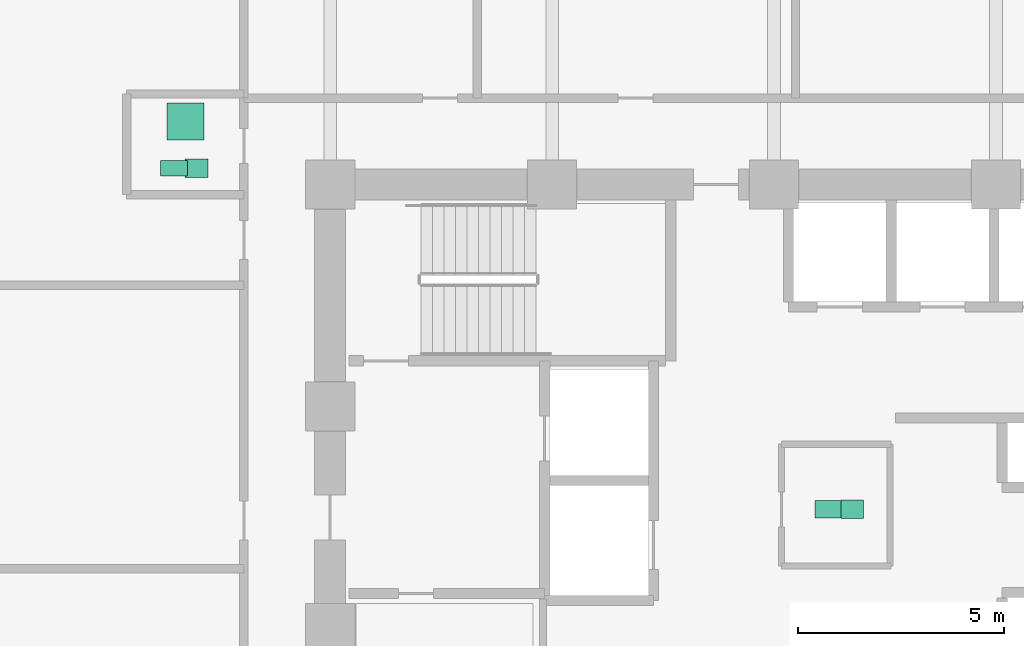
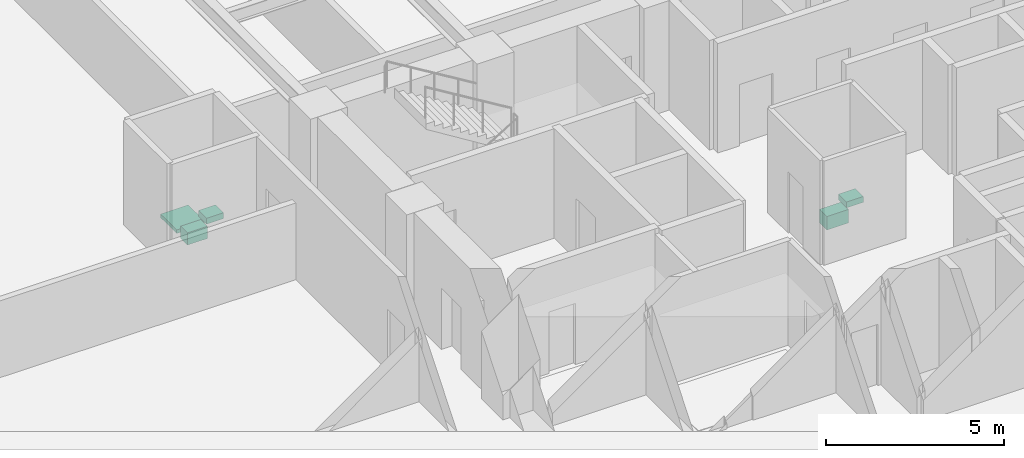
# One storey, part 27 of 27: 5 sanitary terminals.
"""IFC4 building model written with IfcOpenShell, lengths in metres."""

from ifc_helpers import new_model, si_unit, direction, frame, origin, origin_2d, place, context, subcontext, project, spatial, rectangle, extrude, material, type_object, element, save


model = new_model("IFC4")

# Units and contexts
model_context = context("Model", 3, precision=1e-05, world=origin(), true_north=direction((0.0, 1.0)))
body_context = subcontext(model_context, "Body", "Model", "MODEL_VIEW")
ifc_project = project(units=[si_unit("LENGTHUNIT", "METRE"), si_unit("AREAUNIT", "SQUARE_METRE"), si_unit("VOLUMEUNIT", "CUBIC_METRE"), si_unit("PLANEANGLEUNIT", "RADIAN"), si_unit("MASSUNIT", "GRAM", prefix="KILO")], contexts=[model_context])

# Site, building, storey
site_placement = place(None, origin())
site = spatial("IfcSite", under=ifc_project, at=site_placement, CompositionType="ELEMENT")
building_placement = place(site_placement, origin())
building = spatial("IfcBuilding", under=site, at=building_placement, Name="Surkhivell Harbour Commons", CompositionType="ELEMENT")
storey_placement = place(building_placement, frame((0.0, 0.0, 22.5)))
storey = spatial("IfcBuildingStorey", under=building, at=storey_placement, Name="L05", CompositionType="ELEMENT", Elevation=22.5)

# Sanitary terminals
ifc_material_1 = material(Name="Vitreous china washbasin", Category="other")
sanitary_terminal_type_1 = type_object("IfcSanitaryTerminalType", Name="SAN-BSN", PredefinedType="WASHHANDBASIN", material=ifc_material_1)
for number, where, z_axis, x_axis, name in (
    (1, (1.89990234375, 2.89990234375, 0.72021484375), (0.0, 0.0, 1.0), (1.0, 0.0, 0.0), "L05 Core Accessible WC Washbasin"),
    (2, (-14.050048828125, 11.18994140625, 0.72021484375), (0.0, 0.0, 1.0), (1.0, 0.0, 0.0), "L05 West Communal Bathroom WC Washbasin"),
):
    element("IfcSanitaryTerminal", number, at=place(storey_placement, frame(where, z_axis=z_axis, x_axis=x_axis)), inside=storey, type_object=sanitary_terminal_type_1, Name=name, PredefinedType="WASHHANDBASIN", context=body_context, shape_type="SweptSolid", body=[
        extrude(rectangle(XDim=0.550048828125, YDim=0.449951171875, at=origin_2d()), origin(), (0.0, 0.0, 1.0), 0.199951171875),
    ])
ifc_material_2 = material(Name="Glazed porcelain shower tray", Category="other")
sanitary_terminal_type_2 = type_object("IfcSanitaryTerminalType", Name="SAN-SHW", PredefinedType="SHOWER", material=ifc_material_2)
sanitary_terminal_1_placement = place(storey_placement, frame((-14.320068359375, 12.330078125, 0.0), z_axis=(0.0, 0.0, 1.0), x_axis=(1.0, 0.0, 0.0)))
element("IfcSanitaryTerminal", 3, at=sanitary_terminal_1_placement, inside=storey, type_object=sanitary_terminal_type_2, Name="L05 West Communal Shower Tray", PredefinedType="SHOWER", context=body_context, shape_type="SweptSolid", body=[
    extrude(rectangle(XDim=0.89990234375, YDim=0.89990234375, at=origin_2d()), origin(), (0.0, 0.0, 1.0), 0.1201171875),
])
ifc_material_3 = material(Name="Vitreous china sanitaryware", Category="other")
sanitary_terminal_type_3 = type_object("IfcSanitaryTerminalType", Name="SAN-WC-ACC", PredefinedType="TOILETPAN", material=ifc_material_3)
sanitary_terminal_2_placement = place(storey_placement, frame((1.35009765625, 2.89990234375, 0.169921875), z_axis=(0.0, 0.0, 1.0), x_axis=(1.0, 0.0, 0.0)))
element("IfcSanitaryTerminal", 4, at=sanitary_terminal_2_placement, inside=storey, type_object=sanitary_terminal_type_3, Name="L05 Core Accessible WC", PredefinedType="TOILETPAN", context=body_context, shape_type="SweptSolid", body=[
    extrude(rectangle(XDim=0.699951171875, YDim=0.419921875, at=origin_2d()), origin(), (0.0, 0.0, 1.0), 0.4599609375),
])
sanitary_terminal_type_4 = type_object("IfcSanitaryTerminalType", Name="SAN-WC-STD", PredefinedType="TOILETPAN", material=ifc_material_3)
sanitary_terminal_3_placement = place(storey_placement, frame((-14.60009765625, 11.18994140625, 0.18994140625), z_axis=(0.0, 0.0, 1.0), x_axis=(1.0, 0.0, 0.0)))
element("IfcSanitaryTerminal", 5, at=sanitary_terminal_3_placement, inside=storey, type_object=sanitary_terminal_type_4, Name="L05 West Communal Bathroom WC", PredefinedType="TOILETPAN", context=body_context, shape_type="SweptSolid", body=[
    extrude(rectangle(XDim=0.64990234375, YDim=0.3798828125, at=origin_2d()), origin(), (0.0, 0.0, 1.0), 0.419921875),
])

save(model, "model.ifc")
